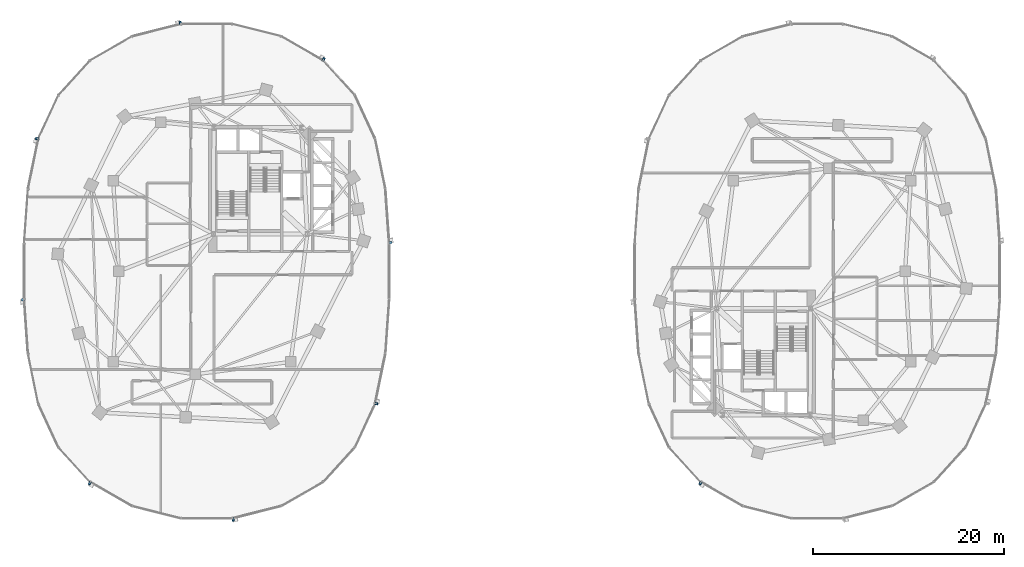
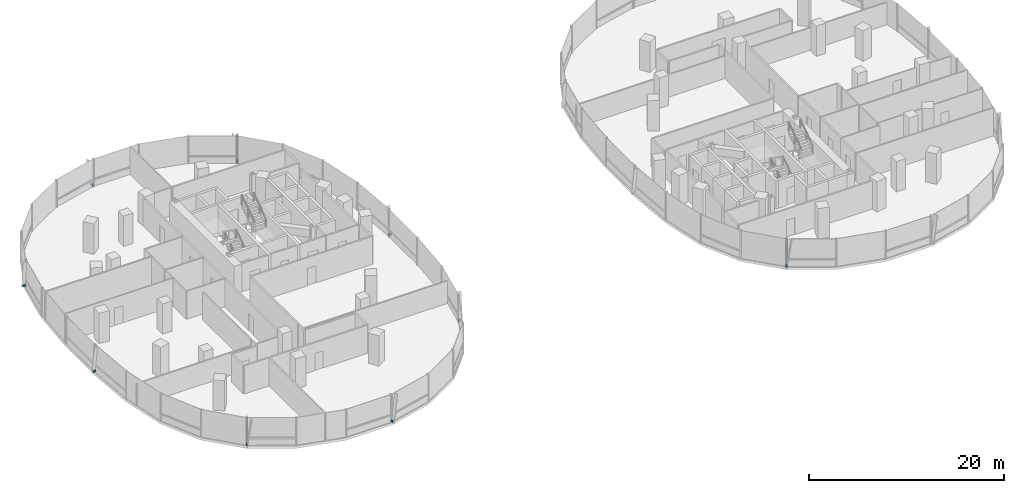
# One storey, part 15 of 21: 9 discrete accessories.
"""IFC4 building model written with IfcOpenShell, lengths in metres."""

from ifc_helpers import new_model, si_unit, direction, frame, origin, origin_2d, place, context, subcontext, project, spatial, rectangle, extrude, material, type_object, element, save


model = new_model("IFC4")

# Units and contexts
model_context = context("Model", 3, precision=1e-05, world=origin(), true_north=direction((0.0, 1.0)))
body_context = subcontext(model_context, "Body", "Model", "MODEL_VIEW")
ifc_project = project(units=[si_unit("LENGTHUNIT", "METRE"), si_unit("AREAUNIT", "SQUARE_METRE"), si_unit("VOLUMEUNIT", "CUBIC_METRE"), si_unit("PLANEANGLEUNIT", "RADIAN"), si_unit("MASSUNIT", "GRAM", prefix="KILO"), si_unit("THERMODYNAMICTEMPERATUREUNIT", "KELVIN"), si_unit("POWERUNIT", "WATT")], contexts=[model_context])

# Site, building, storey
site_placement = place(None, origin())
site = spatial("IfcSite", under=ifc_project, at=site_placement, CompositionType="ELEMENT")
building_placement = place(site_placement, origin())
building = spatial("IfcBuilding", under=site, at=building_placement, Name="Cundina Bronze Exchange", CompositionType="ELEMENT")
storey_placement = place(building_placement, frame((0.0, 0.0, 50.60009765625)))
storey = spatial("IfcBuildingStorey", under=building, at=storey_placement, Name="L12", CompositionType="ELEMENT", Elevation=50.60009765625)

# Discrete accessories
ifc_material = material(Name="Anodised Bronze Aluminium 6063-T6", Category="aluminium")
discrete_accessory_type = type_object("IfcDiscreteAccessoryType", Name="ACC-BRK-FIN", PredefinedType="BRACKET", material=ifc_material)
for number, where, z_axis, x_axis, name in (
    (1, (-12.735595703125, 2.986083984375, 0.10009765625), (0.0, 0.0, 1.0), (-0.070278787473, 0.997527389113, 0.0), "L12 Fin Support Bracket 1"),
    (2, (-19.740478515625, 22.21875, 0.10009765625), (0.0, 0.0, 1.0), (-0.867105478933, 0.498124571171, 0.0), "L12 Fin Support Bracket 5"),
    (3, (-34.76025390625, 26.03173828125, 0.10009765625), (0.0, 0.0, 1.0), (-0.969488149345, -0.245138182011, 0.0), "L12 Fin Support Bracket 1"),
    (4, (-49.788330078125, 13.8896484375, 0.10009765625), (0.0, 0.0, 1.0), (-0.201419845156, -0.979505000486, 0.0), "L12 Fin Support Bracket 5"),
    (5, (-51.264404296875, -2.986083984375, 0.10009765625), (0.0, 0.0, 1.0), (0.070278787473, -0.997527389113, 0.0), "L12 Fin Support Bracket 1"),
    (6, (-44.259521484375, -22.21875, 0.10009765625), (0.0, 0.0, 1.0), (0.867105478933, -0.498124571171, 0.0), "L12 Fin Support Bracket 5"),
    (7, (-29.23974609375, -26.03173828125, 0.10009765625), (0.0, 0.0, 1.0), (0.969488149345, 0.245138182011, 0.0), "L12 Fin Support Bracket 1"),
    (8, (-14.211669921875, -13.8896484375, 0.10009765625), (0.0, 0.0, 1.0), (0.201419845156, 0.979505000486, 0.0), "L12 Fin Support Bracket 5"),
    (9, (19.740478515625, -22.21875, 0.10009765625), (0.0, 0.0, 1.0), (0.867105478933, -0.498124571171, 0.0), "L12 Fin Support Bracket 5"),
):
    element("IfcDiscreteAccessory", number, at=place(storey_placement, frame(where, z_axis=z_axis, x_axis=x_axis)), inside=storey, type_object=discrete_accessory_type, Name=name, PredefinedType="BRACKET", context=body_context, shape_type="SweptSolid", body=[
        extrude(rectangle(XDim=0.219970703125, YDim=0.320068359375, at=origin_2d()), origin(), (0.0, 0.0, 1.0), 0.239990234375),
    ])

save(model, "model.ifc")
